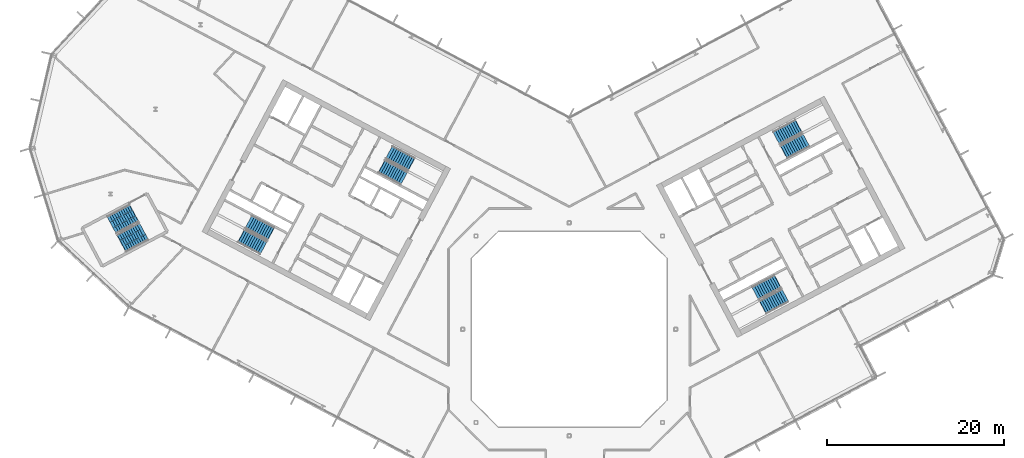
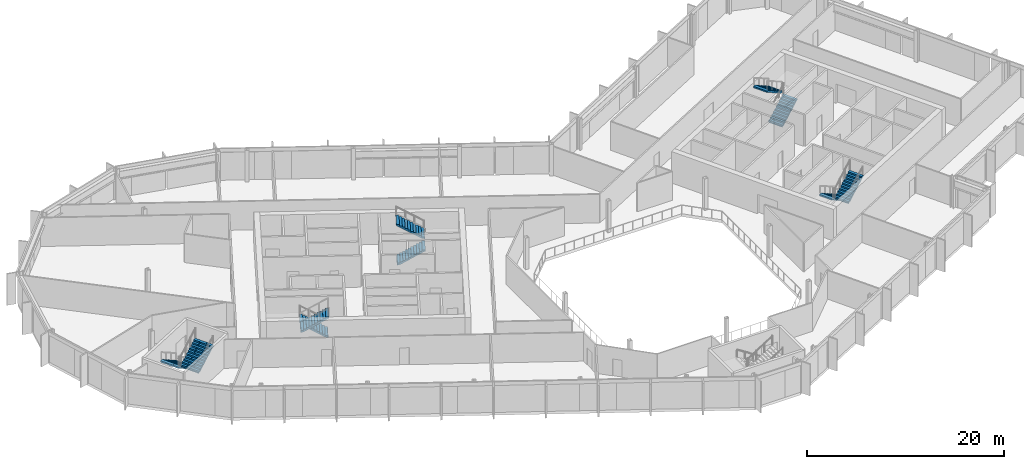
# One storey, part 18 of 27: 10 stair flights, 5 elements without a shape of their own.
"""IFC4 building model written with IfcOpenShell, lengths in metres."""

from ifc_helpers import new_model, si_unit, direction, frame, origin, place, context, subcontext, project, spatial, polyline, outline, extrude, material, type_object, element, aggregate, save


model = new_model("IFC4")

# Units and contexts
model_context = context("Model", 3, precision=1e-05, world=origin(), true_north=direction((0.0, 1.0)))
body_context = subcontext(model_context, "Body", "Model", "MODEL_VIEW")
ifc_project = project(units=[si_unit("LENGTHUNIT", "METRE"), si_unit("AREAUNIT", "SQUARE_METRE"), si_unit("VOLUMEUNIT", "CUBIC_METRE"), si_unit("PLANEANGLEUNIT", "RADIAN"), si_unit("MASSUNIT", "GRAM", prefix="KILO")], contexts=[model_context])

# Site, building, storey
site_placement = place(None, origin())
site = spatial("IfcSite", under=ifc_project, at=site_placement, CompositionType="ELEMENT")
building_placement = place(site_placement, origin())
building = spatial("IfcBuilding", under=site, at=building_placement, Name="Cormorant Relay Tower", CompositionType="ELEMENT")
storey_placement = place(building_placement, frame((0.0, 0.0, 224.699951171875)))
storey = spatial("IfcBuildingStorey", under=building, at=storey_placement, Name="L49", CompositionType="ELEMENT", Elevation=224.699951171875)

# Stair, stair flights
ifc_material_1 = material(Name="Concrete 40 MPa", Category="concrete")
stair_type_1 = type_object("IfcStairType", Name="Exit stair 1500", PredefinedType="HALF_TURN_STAIR", material=ifc_material_1)
stair_1_placement = place(storey_placement, origin())
stair_1 = element("IfcStair", 1, at=stair_1_placement, inside=storey, type_object=stair_type_1, Name="L49 Stair", PredefinedType="HALF_TURN_STAIR")
ifc_material_2 = material(Name="Concrete 40 MPa", Category="concrete")
stair_flight_type_1 = type_object("IfcStairFlightType", Name="Exit stair flight 1650", PredefinedType="STRAIGHT", material=ifc_material_2)
stair_flight_1_placement = place(storey_placement, frame((-21.114501953125, 18.33349609375, 0.0), z_axis=(0.0, 0.0, 1.0), x_axis=(0.882947592859, -0.469471562786, 0.0)))
stair_flight_1 = element("IfcStairFlight", 2, at=stair_flight_1_placement, type_object=stair_flight_type_1, Name="A1 flight 1", NumberOfRisers=11, NumberOfTreads=10, PredefinedType="STRAIGHT", RiserHeight=0.177272727, TreadLength=0.28, context=body_context, shape_type="SweptSolid", body=[
    extrude(outline(polyline([(-0.050048828125, -0.080078125), (-0.050048828125, 0.0), (0.0, 0.0), (0.0, 0.17724609375), (0.280029296875, 0.17724609375), (0.280029296875, 0.3544921875), (0.56005859375, 0.3544921875), (0.56005859375, 0.53173828125), (0.840087890625, 0.53173828125), (0.840087890625, 0.708984375), (1.1201171875, 0.708984375), (1.1201171875, 0.886474609375), (1.39990234375, 0.886474609375), (1.39990234375, 1.063720703125), (1.679931640625, 1.063720703125), (1.679931640625, 1.240966796875), (1.9599609375, 1.240966796875), (1.9599609375, 1.418212890625), (2.239990234375, 1.418212890625), (2.239990234375, 1.595458984375), (2.52001953125, 1.595458984375), (2.52001953125, 1.772705078125), (2.800048828125, 1.772705078125), (2.85009765625, 1.772705078125), (2.85009765625, 1.59521484375), (2.800048828125, 1.59521484375), (0.2802734375, 0.0), (-0.050048828125, -0.080078125)])), frame((0.0, 0.824951171875, 0.0), z_axis=(0.0, -1.0, 0.0), x_axis=(1.0, 0.0, 0.0)), (0.0, 0.0, 1.0), 1.64990234375),
])
stair_flight_2_placement = place(storey_placement, frame((-17.797119140625, 18.6083984375, 1.949951171875), z_axis=(0.0, 0.0, 1.0), x_axis=(-0.882947592859, 0.469471562786, 0.0)))
stair_flight_2 = element("IfcStairFlight", 3, at=stair_flight_2_placement, type_object=stair_flight_type_1, Name="A1 flight 2", NumberOfRisers=11, NumberOfTreads=10, PredefinedType="STRAIGHT", RiserHeight=0.177272727, TreadLength=0.28, context=body_context, shape_type="SweptSolid", body=[
    extrude(outline(polyline([(-0.050048828125, -0.080078125), (-0.050048828125, 0.0), (0.0, 0.0), (0.0, 0.17724609375), (0.280029296875, 0.17724609375), (0.280029296875, 0.3544921875), (0.56005859375, 0.3544921875), (0.56005859375, 0.53173828125), (0.840087890625, 0.53173828125), (0.840087890625, 0.708984375), (1.1201171875, 0.708984375), (1.1201171875, 0.886474609375), (1.39990234375, 0.886474609375), (1.39990234375, 1.063720703125), (1.679931640625, 1.063720703125), (1.679931640625, 1.240966796875), (1.9599609375, 1.240966796875), (1.9599609375, 1.418212890625), (2.239990234375, 1.418212890625), (2.239990234375, 1.595458984375), (2.52001953125, 1.595458984375), (2.52001953125, 1.772705078125), (2.800048828125, 1.772705078125), (2.85009765625, 1.772705078125), (2.85009765625, 1.59521484375), (2.800048828125, 1.59521484375), (0.2802734375, 0.0), (-0.050048828125, -0.080078125)])), frame((0.0, 0.824951171875, 0.0), z_axis=(0.0, -1.0, 0.0), x_axis=(1.0, 0.0, 0.0)), (0.0, 0.0, 1.0), 1.64990234375),
])
aggregate(stair_1, [stair_flight_1, stair_flight_2])

stair_2_placement = place(storey_placement, origin())
stair_2 = element("IfcStair", 4, at=stair_2_placement, inside=storey, type_object=stair_type_1, Name="L49 Stair", PredefinedType="HALF_TURN_STAIR")
stair_flight_3_placement = place(storey_placement, frame((-33.62841796875, 10.773681640625, 0.0), z_axis=(0.0, 0.0, 1.0), x_axis=(-0.882947592859, 0.469471562786, 0.0)))
stair_flight_3 = element("IfcStairFlight", 5, at=stair_flight_3_placement, type_object=stair_flight_type_1, Name="A2 flight 1", NumberOfRisers=11, NumberOfTreads=10, PredefinedType="STRAIGHT", RiserHeight=0.177272727, TreadLength=0.28, context=body_context, shape_type="SweptSolid", body=[
    extrude(outline(polyline([(-0.050048828125, -0.080078125), (-0.050048828125, 0.0), (0.0, 0.0), (0.0, 0.17724609375), (0.280029296875, 0.17724609375), (0.280029296875, 0.3544921875), (0.56005859375, 0.3544921875), (0.56005859375, 0.53173828125), (0.840087890625, 0.53173828125), (0.840087890625, 0.708984375), (1.1201171875, 0.708984375), (1.1201171875, 0.886474609375), (1.39990234375, 0.886474609375), (1.39990234375, 1.063720703125), (1.679931640625, 1.063720703125), (1.679931640625, 1.240966796875), (1.9599609375, 1.240966796875), (1.9599609375, 1.418212890625), (2.239990234375, 1.418212890625), (2.239990234375, 1.595458984375), (2.52001953125, 1.595458984375), (2.52001953125, 1.772705078125), (2.800048828125, 1.772705078125), (2.85009765625, 1.772705078125), (2.85009765625, 1.59521484375), (2.800048828125, 1.59521484375), (0.2802734375, 0.0), (-0.050048828125, -0.080078125)])), frame((0.0, 0.824951171875, 0.0), z_axis=(0.0, -1.0, 0.0), x_axis=(1.0, 0.0, 0.0)), (0.0, 0.0, 1.0), 1.64990234375),
])
stair_flight_4_placement = place(storey_placement, frame((-36.945556640625, 10.498779296875, 1.949951171875), z_axis=(0.0, 0.0, 1.0), x_axis=(0.882947592859, -0.469471562786, 0.0)))
stair_flight_4 = element("IfcStairFlight", 6, at=stair_flight_4_placement, type_object=stair_flight_type_1, Name="A2 flight 2", NumberOfRisers=11, NumberOfTreads=10, PredefinedType="STRAIGHT", RiserHeight=0.177272727, TreadLength=0.28, context=body_context, shape_type="SweptSolid", body=[
    extrude(outline(polyline([(-0.050048828125, -0.080078125), (-0.050048828125, 0.0), (0.0, 0.0), (0.0, 0.17724609375), (0.280029296875, 0.17724609375), (0.280029296875, 0.3544921875), (0.56005859375, 0.3544921875), (0.56005859375, 0.53173828125), (0.840087890625, 0.53173828125), (0.840087890625, 0.708984375), (1.1201171875, 0.708984375), (1.1201171875, 0.886474609375), (1.39990234375, 0.886474609375), (1.39990234375, 1.063720703125), (1.679931640625, 1.063720703125), (1.679931640625, 1.240966796875), (1.9599609375, 1.240966796875), (1.9599609375, 1.418212890625), (2.239990234375, 1.418212890625), (2.239990234375, 1.595458984375), (2.52001953125, 1.595458984375), (2.52001953125, 1.772705078125), (2.800048828125, 1.772705078125), (2.85009765625, 1.772705078125), (2.85009765625, 1.59521484375), (2.800048828125, 1.59521484375), (0.2802734375, 0.0), (-0.050048828125, -0.080078125)])), frame((0.0, 0.824951171875, 0.0), z_axis=(0.0, -1.0, 0.0), x_axis=(1.0, 0.0, 0.0)), (0.0, 0.0, 1.0), 1.64990234375),
])
aggregate(stair_2, [stair_flight_3, stair_flight_4])

stair_3_placement = place(storey_placement, origin())
stair_3 = element("IfcStair", 7, at=stair_3_placement, inside=storey, type_object=stair_type_1, Name="L49 Stair", PredefinedType="HALF_TURN_STAIR")
stair_flight_5_placement = place(storey_placement, frame((23.474365234375, 5.374755859375, 0.0), z_axis=(0.0, 0.0, 1.0), x_axis=(-0.882947592859, -0.469471562786, 0.0)))
stair_flight_5 = element("IfcStairFlight", 8, at=stair_flight_5_placement, type_object=stair_flight_type_1, Name="B1 flight 1", NumberOfRisers=11, NumberOfTreads=10, PredefinedType="STRAIGHT", RiserHeight=0.177272727, TreadLength=0.28, context=body_context, shape_type="SweptSolid", body=[
    extrude(outline(polyline([(-0.050048828125, -0.080078125), (-0.050048828125, 0.0), (0.0, 0.0), (0.0, 0.17724609375), (0.280029296875, 0.17724609375), (0.280029296875, 0.3544921875), (0.56005859375, 0.3544921875), (0.56005859375, 0.53173828125), (0.840087890625, 0.53173828125), (0.840087890625, 0.708984375), (1.1201171875, 0.708984375), (1.1201171875, 0.886474609375), (1.39990234375, 0.886474609375), (1.39990234375, 1.063720703125), (1.679931640625, 1.063720703125), (1.679931640625, 1.240966796875), (1.9599609375, 1.240966796875), (1.9599609375, 1.418212890625), (2.239990234375, 1.418212890625), (2.239990234375, 1.595458984375), (2.52001953125, 1.595458984375), (2.52001953125, 1.772705078125), (2.800048828125, 1.772705078125), (2.85009765625, 1.772705078125), (2.85009765625, 1.59521484375), (2.800048828125, 1.59521484375), (0.2802734375, 0.0), (-0.050048828125, -0.080078125)])), frame((0.0, 0.824951171875, 0.0), z_axis=(0.0, -1.0, 0.0), x_axis=(1.0, 0.0, 0.0)), (0.0, 0.0, 1.0), 1.64990234375),
])
stair_flight_6_placement = place(storey_placement, frame((21.84716796875, 2.470947265625, 1.949951171875), z_axis=(0.0, 0.0, 1.0), x_axis=(0.882947592859, 0.469471562786, 0.0)))
stair_flight_6 = element("IfcStairFlight", 9, at=stair_flight_6_placement, type_object=stair_flight_type_1, Name="B1 flight 2", NumberOfRisers=11, NumberOfTreads=10, PredefinedType="STRAIGHT", RiserHeight=0.177272727, TreadLength=0.28, context=body_context, shape_type="SweptSolid", body=[
    extrude(outline(polyline([(-0.050048828125, -0.080078125), (-0.050048828125, 0.0), (0.0, 0.0), (0.0, 0.17724609375), (0.280029296875, 0.17724609375), (0.280029296875, 0.3544921875), (0.56005859375, 0.3544921875), (0.56005859375, 0.53173828125), (0.840087890625, 0.53173828125), (0.840087890625, 0.708984375), (1.1201171875, 0.708984375), (1.1201171875, 0.886474609375), (1.39990234375, 0.886474609375), (1.39990234375, 1.063720703125), (1.679931640625, 1.063720703125), (1.679931640625, 1.240966796875), (1.9599609375, 1.240966796875), (1.9599609375, 1.418212890625), (2.239990234375, 1.418212890625), (2.239990234375, 1.595458984375), (2.52001953125, 1.595458984375), (2.52001953125, 1.772705078125), (2.800048828125, 1.772705078125), (2.85009765625, 1.772705078125), (2.85009765625, 1.59521484375), (2.800048828125, 1.59521484375), (0.2802734375, 0.0), (-0.050048828125, -0.080078125)])), frame((0.0, 0.824951171875, 0.0), z_axis=(0.0, -1.0, 0.0), x_axis=(1.0, 0.0, 0.0)), (0.0, 0.0, 1.0), 1.64990234375),
])
aggregate(stair_3, [stair_flight_5, stair_flight_6])

stair_4_placement = place(storey_placement, origin())
stair_4 = element("IfcStair", 10, at=stair_4_placement, inside=storey, type_object=stair_type_1, Name="L49 Stair", PredefinedType="HALF_TURN_STAIR")
stair_flight_7_placement = place(storey_placement, frame((24.20458984375, 19.976806640625, 0.0), z_axis=(0.0, 0.0, 1.0), x_axis=(0.882947592859, 0.469471562786, 0.0)))
stair_flight_7 = element("IfcStairFlight", 11, at=stair_flight_7_placement, type_object=stair_flight_type_1, Name="B2 flight 1", NumberOfRisers=11, NumberOfTreads=10, PredefinedType="STRAIGHT", RiserHeight=0.177272727, TreadLength=0.28, context=body_context, shape_type="SweptSolid", body=[
    extrude(outline(polyline([(-0.050048828125, -0.080078125), (-0.050048828125, 0.0), (0.0, 0.0), (0.0, 0.17724609375), (0.280029296875, 0.17724609375), (0.280029296875, 0.3544921875), (0.56005859375, 0.3544921875), (0.56005859375, 0.53173828125), (0.840087890625, 0.53173828125), (0.840087890625, 0.708984375), (1.1201171875, 0.708984375), (1.1201171875, 0.886474609375), (1.39990234375, 0.886474609375), (1.39990234375, 1.063720703125), (1.679931640625, 1.063720703125), (1.679931640625, 1.240966796875), (1.9599609375, 1.240966796875), (1.9599609375, 1.418212890625), (2.239990234375, 1.418212890625), (2.239990234375, 1.595458984375), (2.52001953125, 1.595458984375), (2.52001953125, 1.772705078125), (2.800048828125, 1.772705078125), (2.85009765625, 1.772705078125), (2.85009765625, 1.59521484375), (2.800048828125, 1.59521484375), (0.2802734375, 0.0), (-0.050048828125, -0.080078125)])), frame((0.0, 0.824951171875, 0.0), z_axis=(0.0, -1.0, 0.0), x_axis=(1.0, 0.0, 0.0)), (0.0, 0.0, 1.0), 1.64990234375),
])
stair_flight_8_placement = place(storey_placement, frame((25.831787109375, 22.880615234375, 1.949951171875), z_axis=(0.0, 0.0, 1.0), x_axis=(-0.882947592859, -0.469471562786, 0.0)))
stair_flight_8 = element("IfcStairFlight", 12, at=stair_flight_8_placement, type_object=stair_flight_type_1, Name="B2 flight 2", NumberOfRisers=11, NumberOfTreads=10, PredefinedType="STRAIGHT", RiserHeight=0.177272727, TreadLength=0.28, context=body_context, shape_type="SweptSolid", body=[
    extrude(outline(polyline([(-0.050048828125, -0.080078125), (-0.050048828125, 0.0), (0.0, 0.0), (0.0, 0.17724609375), (0.280029296875, 0.17724609375), (0.280029296875, 0.3544921875), (0.56005859375, 0.3544921875), (0.56005859375, 0.53173828125), (0.840087890625, 0.53173828125), (0.840087890625, 0.708984375), (1.1201171875, 0.708984375), (1.1201171875, 0.886474609375), (1.39990234375, 0.886474609375), (1.39990234375, 1.063720703125), (1.679931640625, 1.063720703125), (1.679931640625, 1.240966796875), (1.9599609375, 1.240966796875), (1.9599609375, 1.418212890625), (2.239990234375, 1.418212890625), (2.239990234375, 1.595458984375), (2.52001953125, 1.595458984375), (2.52001953125, 1.772705078125), (2.800048828125, 1.772705078125), (2.85009765625, 1.772705078125), (2.85009765625, 1.59521484375), (2.800048828125, 1.59521484375), (0.2802734375, 0.0), (-0.050048828125, -0.080078125)])), frame((0.0, 0.824951171875, 0.0), z_axis=(0.0, -1.0, 0.0), x_axis=(1.0, 0.0, 0.0)), (0.0, 0.0, 1.0), 1.64990234375),
])
aggregate(stair_4, [stair_flight_7, stair_flight_8])

ifc_material_3 = material(Name="Concrete 40 MPa", Category="concrete")
stair_type_2 = type_object("IfcStairType", Name="Remote exit stair 2200", PredefinedType="HALF_TURN_STAIR", material=ifc_material_3)
stair_5_placement = place(storey_placement, origin())
stair_5 = element("IfcStair", 13, at=stair_5_placement, inside=storey, type_object=stair_type_2, Name="L49 Stair", PredefinedType="HALF_TURN_STAIR")
ifc_material_4 = material(Name="Concrete 40 MPa", Category="concrete")
stair_flight_type_2 = type_object("IfcStairFlightType", Name="Remote exit stair flight 2200", PredefinedType="STRAIGHT", material=ifc_material_4)
stair_flight_9_placement = place(storey_placement, frame((-49.062255859375, 13.08251953125, 0.0), z_axis=(0.0, 0.0, 1.0), x_axis=(-0.882947502727, -0.4694717323, 0.0)))
stair_flight_9 = element("IfcStairFlight", 14, at=stair_flight_9_placement, type_object=stair_flight_type_2, Name="RP1 flight 1", NumberOfRisers=11, NumberOfTreads=10, PredefinedType="STRAIGHT", RiserHeight=0.177272727, TreadLength=0.28, context=body_context, shape_type="SweptSolid", body=[
    extrude(outline(polyline([(-0.050048828125, -0.080078125), (-0.050048828125, 0.0), (0.0, 0.0), (0.0, 0.17724609375), (0.280029296875, 0.17724609375), (0.280029296875, 0.3544921875), (0.56005859375, 0.3544921875), (0.56005859375, 0.53173828125), (0.840087890625, 0.53173828125), (0.840087890625, 0.708984375), (1.1201171875, 0.708984375), (1.1201171875, 0.886474609375), (1.39990234375, 0.886474609375), (1.39990234375, 1.063720703125), (1.679931640625, 1.063720703125), (1.679931640625, 1.240966796875), (1.9599609375, 1.240966796875), (1.9599609375, 1.418212890625), (2.239990234375, 1.418212890625), (2.239990234375, 1.595458984375), (2.52001953125, 1.595458984375), (2.52001953125, 1.772705078125), (2.800048828125, 1.772705078125), (2.85009765625, 1.772705078125), (2.85009765625, 1.59521484375), (2.800048828125, 1.59521484375), (0.2802734375, 0.0), (-0.050048828125, -0.080078125)])), frame((0.0, 1.10009765625, 0.0), z_axis=(0.0, -1.0, 0.0), x_axis=(1.0, 0.0, 0.0)), (0.0, 0.0, 1.0), 0.719970703125),
    extrude(outline(polyline([(-0.050048828125, -0.080078125), (-0.050048828125, 0.0), (0.0, 0.0), (0.0, 0.17724609375), (0.280029296875, 0.17724609375), (0.280029296875, 0.3544921875), (0.56005859375, 0.3544921875), (0.56005859375, 0.53173828125), (0.840087890625, 0.53173828125), (0.840087890625, 0.708984375), (1.1201171875, 0.708984375), (1.1201171875, 0.886474609375), (1.39990234375, 0.886474609375), (1.39990234375, 1.063720703125), (1.679931640625, 1.063720703125), (1.679931640625, 1.240966796875), (1.9599609375, 1.240966796875), (1.9599609375, 1.418212890625), (2.239990234375, 1.418212890625), (2.239990234375, 1.595458984375), (2.52001953125, 1.595458984375), (2.52001953125, 1.772705078125), (2.800048828125, 1.772705078125), (2.85009765625, 1.772705078125), (2.85009765625, 1.59521484375), (2.800048828125, 1.59521484375), (0.2802734375, 0.0), (-0.050048828125, -0.080078125)])), frame((0.0, 0.360107421875, 0.0), z_axis=(0.0, -1.0, 0.0), x_axis=(1.0, 0.0, 0.0)), (0.0, 0.0, 1.0), 0.719970703125),
    extrude(outline(polyline([(-0.050048828125, -0.080078125), (-0.050048828125, 0.0), (0.0, 0.0), (0.0, 0.17724609375), (0.280029296875, 0.17724609375), (0.280029296875, 0.3544921875), (0.56005859375, 0.3544921875), (0.56005859375, 0.53173828125), (0.840087890625, 0.53173828125), (0.840087890625, 0.708984375), (1.1201171875, 0.708984375), (1.1201171875, 0.886474609375), (1.39990234375, 0.886474609375), (1.39990234375, 1.063720703125), (1.679931640625, 1.063720703125), (1.679931640625, 1.240966796875), (1.9599609375, 1.240966796875), (1.9599609375, 1.418212890625), (2.239990234375, 1.418212890625), (2.239990234375, 1.595458984375), (2.52001953125, 1.595458984375), (2.52001953125, 1.772705078125), (2.800048828125, 1.772705078125), (2.85009765625, 1.772705078125), (2.85009765625, 1.59521484375), (2.800048828125, 1.59521484375), (0.2802734375, 0.0), (-0.050048828125, -0.080078125)])), frame((0.0, -0.3798828125, 0.0), z_axis=(0.0, -1.0, 0.0), x_axis=(1.0, 0.0, 0.0)), (0.0, 0.0, 1.0), 0.719970703125),
])
stair_flight_10_placement = place(storey_placement, frame((-50.431396484375, 9.693115234375, 1.949951171875), z_axis=(0.0, 0.0, 1.0), x_axis=(0.882947502727, 0.4694717323, 0.0)))
stair_flight_10 = element("IfcStairFlight", 15, at=stair_flight_10_placement, type_object=stair_flight_type_2, Name="RP1 flight 2", NumberOfRisers=11, NumberOfTreads=10, PredefinedType="STRAIGHT", RiserHeight=0.177272727, TreadLength=0.28, context=body_context, shape_type="SweptSolid", body=[
    extrude(outline(polyline([(-0.050048828125, -0.080078125), (-0.050048828125, 0.0), (0.0, 0.0), (0.0, 0.17724609375), (0.280029296875, 0.17724609375), (0.280029296875, 0.3544921875), (0.56005859375, 0.3544921875), (0.56005859375, 0.53173828125), (0.840087890625, 0.53173828125), (0.840087890625, 0.708984375), (1.1201171875, 0.708984375), (1.1201171875, 0.886474609375), (1.39990234375, 0.886474609375), (1.39990234375, 1.063720703125), (1.679931640625, 1.063720703125), (1.679931640625, 1.240966796875), (1.9599609375, 1.240966796875), (1.9599609375, 1.418212890625), (2.239990234375, 1.418212890625), (2.239990234375, 1.595458984375), (2.52001953125, 1.595458984375), (2.52001953125, 1.772705078125), (2.800048828125, 1.772705078125), (2.85009765625, 1.772705078125), (2.85009765625, 1.59521484375), (2.800048828125, 1.59521484375), (0.2802734375, 0.0), (-0.050048828125, -0.080078125)])), frame((0.0, 1.10009765625, 0.0), z_axis=(0.0, -1.0, 0.0), x_axis=(1.0, 0.0, 0.0)), (0.0, 0.0, 1.0), 0.719970703125),
    extrude(outline(polyline([(-0.050048828125, -0.080078125), (-0.050048828125, 0.0), (0.0, 0.0), (0.0, 0.17724609375), (0.280029296875, 0.17724609375), (0.280029296875, 0.3544921875), (0.56005859375, 0.3544921875), (0.56005859375, 0.53173828125), (0.840087890625, 0.53173828125), (0.840087890625, 0.708984375), (1.1201171875, 0.708984375), (1.1201171875, 0.886474609375), (1.39990234375, 0.886474609375), (1.39990234375, 1.063720703125), (1.679931640625, 1.063720703125), (1.679931640625, 1.240966796875), (1.9599609375, 1.240966796875), (1.9599609375, 1.418212890625), (2.239990234375, 1.418212890625), (2.239990234375, 1.595458984375), (2.52001953125, 1.595458984375), (2.52001953125, 1.772705078125), (2.800048828125, 1.772705078125), (2.85009765625, 1.772705078125), (2.85009765625, 1.59521484375), (2.800048828125, 1.59521484375), (0.2802734375, 0.0), (-0.050048828125, -0.080078125)])), frame((0.0, 0.360107421875, 0.0), z_axis=(0.0, -1.0, 0.0), x_axis=(1.0, 0.0, 0.0)), (0.0, 0.0, 1.0), 0.719970703125),
    extrude(outline(polyline([(-0.050048828125, -0.080078125), (-0.050048828125, 0.0), (0.0, 0.0), (0.0, 0.17724609375), (0.280029296875, 0.17724609375), (0.280029296875, 0.3544921875), (0.56005859375, 0.3544921875), (0.56005859375, 0.53173828125), (0.840087890625, 0.53173828125), (0.840087890625, 0.708984375), (1.1201171875, 0.708984375), (1.1201171875, 0.886474609375), (1.39990234375, 0.886474609375), (1.39990234375, 1.063720703125), (1.679931640625, 1.063720703125), (1.679931640625, 1.240966796875), (1.9599609375, 1.240966796875), (1.9599609375, 1.418212890625), (2.239990234375, 1.418212890625), (2.239990234375, 1.595458984375), (2.52001953125, 1.595458984375), (2.52001953125, 1.772705078125), (2.800048828125, 1.772705078125), (2.85009765625, 1.772705078125), (2.85009765625, 1.59521484375), (2.800048828125, 1.59521484375), (0.2802734375, 0.0), (-0.050048828125, -0.080078125)])), frame((0.0, -0.3798828125, 0.0), z_axis=(0.0, -1.0, 0.0), x_axis=(1.0, 0.0, 0.0)), (0.0, 0.0, 1.0), 0.719970703125),
])
aggregate(stair_5, [stair_flight_9, stair_flight_10])

save(model, "model.ifc")
